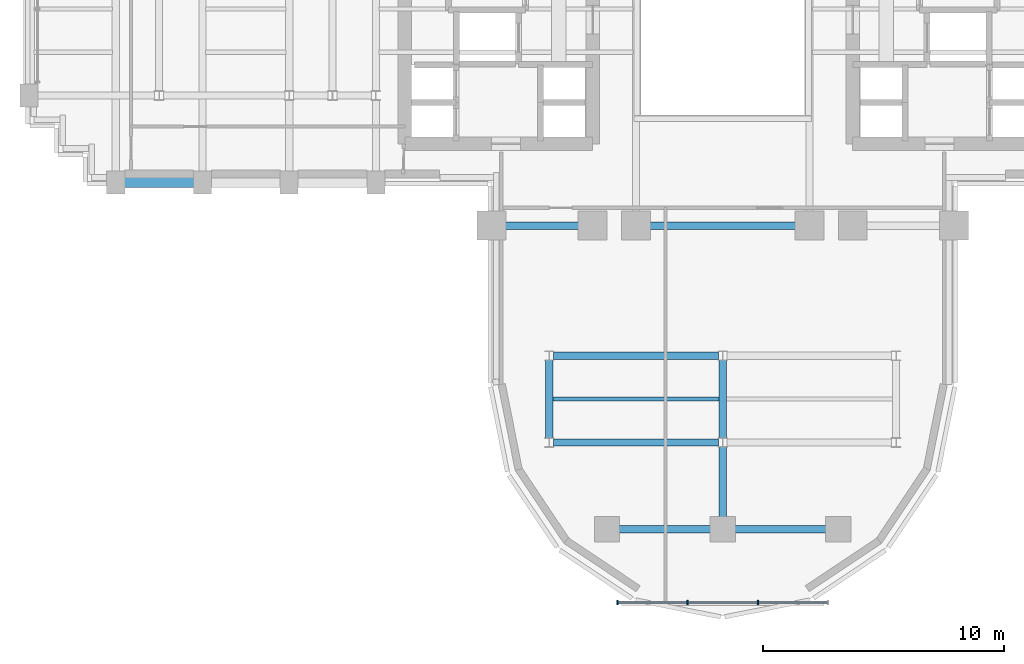
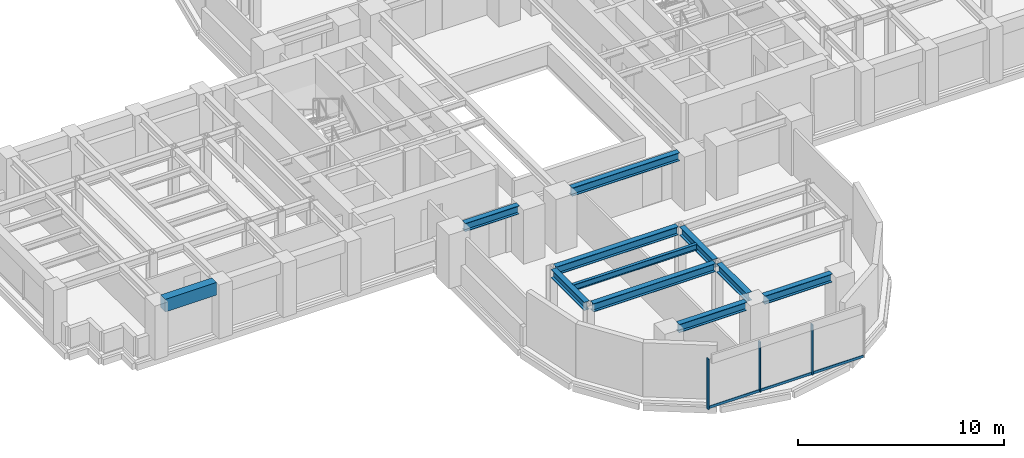
# One storey, part 3 of 16: 11 beams, 6 members, 1 element without a shape of its own.
"""IFC4 building model written with IfcOpenShell, lengths in metres."""

from ifc_helpers import new_model, si_unit, direction, frame, origin, origin_2d, place, context, subcontext, project, spatial, rectangle, i_section, extrude, source, transform, mapped, material, material_profile, profile_set, type_object, element, aggregate, save


model = new_model("IFC4")

# Units and contexts
model_context = context("Model", 3, precision=1e-05, world=origin(), true_north=direction((0.0, 1.0)))
body_context = subcontext(model_context, "Body", "Model", "MODEL_VIEW")
ifc_project = project(units=[si_unit("LENGTHUNIT", "METRE"), si_unit("AREAUNIT", "SQUARE_METRE"), si_unit("VOLUMEUNIT", "CUBIC_METRE"), si_unit("PLANEANGLEUNIT", "RADIAN"), si_unit("MASSUNIT", "GRAM", prefix="KILO")], contexts=[model_context])

# Site, building, storey
site_placement = place(None, origin())
site = spatial("IfcSite", under=ifc_project, at=site_placement, CompositionType="ELEMENT")
building_placement = place(site_placement, origin())
building = spatial("IfcBuilding", under=site, at=building_placement, Name="Keilestroom Media Tower", CompositionType="ELEMENT")
storey_placement = place(building_placement, frame((0.0, 0.0, 34.0)))
storey = spatial("IfcBuildingStorey", under=building, at=storey_placement, Name="L07", CompositionType="ELEMENT", Elevation=34.0)

# Beams
ifc_material_1 = material(Name="Precast concrete C40/50", Category="concrete")
ifc_material_profile_1 = material_profile(ifc_material_1, rectangle(XDim=0.449951171875, YDim=0.75, at=origin_2d()), Name="PC 450x750")
ifc_profile_set_1 = profile_set([ifc_material_profile_1], Name="Precast concrete C40/50")
beam_type_1 = type_object("IfcBeamType", Name="Perimeter-Spandrel-Beam-PC-450x750", PredefinedType="SPANDREL", material=ifc_profile_set_1)
shared_shape_1 = source(origin(), body_context, "Body", "SweptSolid", [
    extrude(rectangle(XDim=0.449951171875, YDim=0.75, at=origin_2d()), origin(), (0.0, 0.0, 1.0), 2.889892578125),
])
beam_1_placement = place(storey_placement, frame((-24.844970703125, -7.199951171875, 2.824951171875), z_axis=(1.0, 0.0, 0.0), x_axis=(0.0, 1.0, 0.0)))
element("IfcBeam", 1, at=beam_1_placement, inside=storey, type_object=beam_type_1, Name="L07 Beam SPB-1 BM-L07-EW-012", PredefinedType="SPANDREL", context=body_context, shape_type="MappedRepresentation", body=[
    mapped(shared_shape_1, transform((0.0, 0.0, 0.0), x_axis=(1.0, 0.0, 0.0), y_axis=(0.0, 1.0, 0.0), z_axis=(0.0, 0.0, 1.0), scale=1.0)),
])
ifc_material_2 = material(Name="Steel S355", Category="steel")
ifc_material_profile_2 = material_profile(ifc_material_2, i_section(OverallWidth=0.300048828125, OverallDepth=0.5, WebThickness=0.012451171875, FlangeThickness=0.028076171875, at=origin_2d()), Name="HEB 500")
ifc_profile_set_2 = profile_set([ifc_material_profile_2], Name="Steel S355")
beam_type_2 = type_object("IfcBeamType", Name="Primary-Structural-Girder-HEB-500", PredefinedType="BEAM", material=ifc_profile_set_2)
shared_shape_2 = source(origin(), body_context, "Body", "SweptSolid", [
    extrude(i_section(OverallWidth=0.300048828125, OverallDepth=0.5, WebThickness=0.012451171875, FlangeThickness=0.028076171875, at=origin_2d()), origin(), (0.0, 0.0, 1.0), 3.23291015625),
])
for number, where, z_axis, x_axis, name in (
    (2, (-7.199951171875, -17.81640625, 2.949951171875), (0.0, 1.0, 0.0), (-1.0, 0.0, 0.0), "L07 Beam BG-6 BM-L07-NS-063"),
    (3, (0.0, -17.81640625, 2.949951171875), (0.0, 1.0, 0.0), (-1.0, 0.0, 0.0), "L07 Beam BG-6 BM-L07-NS-068"),
):
    element("IfcBeam", number, at=place(storey_placement, frame(where, z_axis=z_axis, x_axis=x_axis)), inside=storey, type_object=beam_type_2, Name=name, PredefinedType="BEAM", context=body_context, shape_type="MappedRepresentation", body=[
        mapped(shared_shape_2, transform((0.0, 0.0, 0.0), x_axis=(1.0, 0.0, 0.0), y_axis=(0.0, 1.0, 0.0), z_axis=(0.0, 0.0, 1.0), scale=1.0)),
    ])
shared_shape_3 = source(origin(), body_context, "Body", "SweptSolid", [
    extrude(i_section(OverallWidth=0.300048828125, OverallDepth=0.5, WebThickness=0.012451171875, FlangeThickness=0.028076171875, at=origin_2d()), origin(), (0.0, 0.0, 1.0), 2.911376953125),
])
beam_2_placement = place(storey_placement, frame((0.0, -21.094970703125, 2.949951171875), z_axis=(0.0, 1.0, 0.0), x_axis=(-1.0, 0.0, 0.0)))
element("IfcBeam", 4, at=beam_2_placement, inside=storey, type_object=beam_type_2, Name="L07 Beam BG-6 BM-L07-NS-067", PredefinedType="BEAM", context=body_context, shape_type="MappedRepresentation", body=[
    mapped(shared_shape_3, transform((0.0, 0.0, 0.0), x_axis=(1.0, 0.0, 0.0), y_axis=(0.0, 1.0, 0.0), z_axis=(0.0, 0.0, 1.0), scale=1.0)),
])
ifc_material_profile_3 = material_profile(ifc_material_2, i_section(OverallWidth=0.300048828125, OverallDepth=0.489990234375, WebThickness=0.011962890625, FlangeThickness=0.02294921875, at=origin_2d()), Name="HEA 500")
ifc_profile_set_3 = profile_set([ifc_material_profile_3], Name="Steel S355")
beam_type_3 = type_object("IfcBeamType", Name="Primary-Structural-Girder-HEA-500", PredefinedType="BEAM", material=ifc_profile_set_3)
shared_shape_4 = source(origin(), body_context, "Body", "SweptSolid", [
    extrude(i_section(OverallWidth=0.300048828125, OverallDepth=0.489990234375, WebThickness=0.011962890625, FlangeThickness=0.02294921875, at=origin_2d()), origin(), (0.0, 0.0, 1.0), 3.7900390625),
])
for number, where, z_axis, x_axis, name in (
    (5, (-4.294921875, -21.60009765625, 2.955078125), (1.0, 0.0, 0.0), (0.0, 1.0, 0.0), "L07 Beam BG-10 BM-L07-EW-001"),
    (6, (0.5048828125, -21.60009765625, 2.955078125), (1.0, 0.0, 0.0), (0.0, 1.0, 0.0), "L07 Beam BG-10 BM-L07-EW-002"),
):
    element("IfcBeam", number, at=place(storey_placement, frame(where, z_axis=z_axis, x_axis=x_axis)), inside=storey, type_object=beam_type_3, Name=name, PredefinedType="BEAM", context=body_context, shape_type="MappedRepresentation", body=[
        mapped(shared_shape_4, transform((0.0, 0.0, 0.0), x_axis=(1.0, 0.0, 0.0), y_axis=(0.0, 1.0, 0.0), z_axis=(0.0, 0.0, 1.0), scale=1.0)),
    ])
shared_shape_5 = source(origin(), body_context, "Body", "SweptSolid", [
    extrude(i_section(OverallWidth=0.300048828125, OverallDepth=0.489990234375, WebThickness=0.011962890625, FlangeThickness=0.02294921875, at=origin_2d()), origin(), (0.0, 0.0, 1.0), 6.836181640625),
])
for number, where, z_axis, x_axis, name in (
    (7, (-7.01806640625, -18.0, 2.955078125), (1.0, 0.0, 0.0), (0.0, 1.0, 0.0), "L07 Beam BG-10 BM-L07-EW-003"),
    (8, (-7.01806640625, -14.39990234375, 2.955078125), (1.0, 0.0, 0.0), (0.0, 1.0, 0.0), "L07 Beam BG-10 BM-L07-EW-005"),
):
    element("IfcBeam", number, at=place(storey_placement, frame(where, z_axis=z_axis, x_axis=x_axis)), inside=storey, type_object=beam_type_3, Name=name, PredefinedType="BEAM", context=body_context, shape_type="MappedRepresentation", body=[
        mapped(shared_shape_5, transform((0.0, 0.0, 0.0), x_axis=(1.0, 0.0, 0.0), y_axis=(0.0, 1.0, 0.0), z_axis=(0.0, 0.0, 1.0), scale=1.0)),
    ])
shared_shape_6 = source(origin(), body_context, "Body", "SweptSolid", [
    extrude(i_section(OverallWidth=0.300048828125, OverallDepth=0.489990234375, WebThickness=0.011962890625, FlangeThickness=0.02294921875, at=origin_2d()), origin(), (0.0, 0.0, 1.0), 3.0400390625),
])
beam_3_placement = place(storey_placement, frame((-9.02001953125, -9.0, 2.955078125), z_axis=(1.0, 0.0, 0.0), x_axis=(0.0, 1.0, 0.0)))
element("IfcBeam", 9, at=beam_3_placement, inside=storey, type_object=beam_type_3, Name="L07 Beam BG-10 BM-L07-EW-007", PredefinedType="BEAM", context=body_context, shape_type="MappedRepresentation", body=[
    mapped(shared_shape_6, transform((0.0, 0.0, 0.0), x_axis=(1.0, 0.0, 0.0), y_axis=(0.0, 1.0, 0.0), z_axis=(0.0, 0.0, 1.0), scale=1.0)),
])
shared_shape_7 = source(origin(), body_context, "Body", "SweptSolid", [
    extrude(i_section(OverallWidth=0.300048828125, OverallDepth=0.489990234375, WebThickness=0.011962890625, FlangeThickness=0.02294921875, at=origin_2d()), origin(), (0.0, 0.0, 1.0), 6.0400390625),
])
beam_4_placement = place(storey_placement, frame((-3.02001953125, -9.0, 2.955078125), z_axis=(1.0, 0.0, 0.0), x_axis=(0.0, 1.0, 0.0)))
element("IfcBeam", 10, at=beam_4_placement, inside=storey, type_object=beam_type_3, Name="L07 Beam BG-10 BM-L07-EW-009", PredefinedType="BEAM", context=body_context, shape_type="MappedRepresentation", body=[
    mapped(shared_shape_7, transform((0.0, 0.0, 0.0), x_axis=(1.0, 0.0, 0.0), y_axis=(0.0, 1.0, 0.0), z_axis=(0.0, 0.0, 1.0), scale=1.0)),
])
ifc_material_profile_4 = material_profile(ifc_material_2, i_section(OverallWidth=0.169921875, OverallDepth=0.360107421875, WebThickness=0.008056640625, FlangeThickness=0.0126953125, at=origin_2d()), Name="IPE 360")
ifc_profile_set_4 = profile_set([ifc_material_profile_4], Name="Steel S355")
beam_type_4 = type_object("IfcBeamType", Name="Secondary-Floor-Joist-IPE-360", PredefinedType="JOIST", material=ifc_profile_set_4)
shared_shape_8 = source(origin(), body_context, "Body", "SweptSolid", [
    extrude(i_section(OverallWidth=0.169921875, OverallDepth=0.360107421875, WebThickness=0.008056640625, FlangeThickness=0.0126953125, at=origin_2d()), origin(), (0.0, 0.0, 1.0), 6.940185546875),
])
beam_5_placement = place(storey_placement, frame((-7.070068359375, -16.199951171875, 3.02001953125), z_axis=(1.0, 0.0, 0.0), x_axis=(0.0, 1.0, 0.0)))
element("IfcBeam", 11, at=beam_5_placement, inside=storey, type_object=beam_type_4, Name="L07 Beam BJ-5 JST-L07-087", PredefinedType="JOIST", context=body_context, shape_type="MappedRepresentation", body=[
    mapped(shared_shape_8, transform((0.0, 0.0, 0.0), x_axis=(1.0, 0.0, 0.0), y_axis=(0.0, 1.0, 0.0), z_axis=(0.0, 0.0, 1.0), scale=1.0)),
])

# Curtain wall, members
ifc_material_3 = material(Name="Anodised Aluminium Alloy", Category="aluminium")
curtain_wall_type = type_object("IfcCurtainWallType", Name="Unitised-Curtain-Wall-CW-6", PredefinedType="NOTDEFINED", material=ifc_material_3)
curtain_wall_placement = place(storey_placement, origin())
curtain_wall = element("IfcCurtainWall", 12, at=curtain_wall_placement, inside=storey, type_object=curtain_wall_type, Name="L07 Curtain Wall CW-6 CW-L07-LS-1", PredefinedType="NOTDEFINED")
ifc_material_profile_5 = material_profile(ifc_material_3, rectangle(XDim=0.06494140625, YDim=0.179931640625, at=origin_2d()), Name="ALU MULLION 65x180")
ifc_profile_set_5 = profile_set([ifc_material_profile_5], Name="Anodised Aluminium Alloy")
member_type_1 = type_object("IfcMemberType", Name="Curtain-Wall-Mullion-CW-6", PredefinedType="MULLION", material=ifc_profile_set_5)
shared_shape_9 = source(origin(), body_context, "Body", "SweptSolid", [
    extrude(rectangle(XDim=0.06494140625, YDim=0.179931640625, at=origin_2d()), origin(), (0.0, 0.0, 1.0), 2.97998046875),
])
member_1_placement = place(storey_placement, frame((-4.367431640625, -24.64990234375, 0.0), z_axis=(0.0, 0.0, 1.0), x_axis=(1.0, 0.0, 0.0)))
member_1 = element("IfcMember", 13, at=member_1_placement, type_object=member_type_1, Name="CW-6 Mullion 00", PredefinedType="MULLION", context=body_context, shape_type="MappedRepresentation", body=[
    mapped(shared_shape_9, transform((0.0, 0.0, 0.0), x_axis=(1.0, 0.0, 0.0), y_axis=(0.0, 1.0, 0.0), z_axis=(0.0, 0.0, 1.0), scale=1.0)),
])
member_2_placement = place(storey_placement, frame((-1.466796875, -24.64990234375, 0.0), z_axis=(0.0, 0.0, 1.0), x_axis=(1.0, 0.0, 0.0)))
member_2 = element("IfcMember", 14, at=member_2_placement, type_object=member_type_1, Name="CW-6 Mullion 01", PredefinedType="MULLION", context=body_context, shape_type="MappedRepresentation", body=[
    mapped(shared_shape_9, transform((0.0, 0.0, 0.0), x_axis=(1.0, 0.0, 0.0), y_axis=(0.0, 1.0, 0.0), z_axis=(0.0, 0.0, 1.0), scale=1.0)),
])
member_3_placement = place(storey_placement, frame((1.466796875, -24.64990234375, 0.0), z_axis=(0.0, 0.0, 1.0), x_axis=(1.0, 0.0, 0.0)))
member_3 = element("IfcMember", 15, at=member_3_placement, type_object=member_type_1, Name="CW-6 Mullion 02", PredefinedType="MULLION", context=body_context, shape_type="MappedRepresentation", body=[
    mapped(shared_shape_9, transform((0.0, 0.0, 0.0), x_axis=(1.0, 0.0, 0.0), y_axis=(0.0, 1.0, 0.0), z_axis=(0.0, 0.0, 1.0), scale=1.0)),
])
ifc_material_profile_6 = material_profile(ifc_material_3, rectangle(XDim=0.06494140625, YDim=0.14990234375, at=origin_2d()), Name="ALU TRANSOM 65x150")
ifc_profile_set_6 = profile_set([ifc_material_profile_6], Name="Anodised Aluminium Alloy")
member_type_2 = type_object("IfcMemberType", Name="Curtain-Wall-Transom-CW-6", PredefinedType="USERDEFINED", material=ifc_profile_set_6)
shared_shape_10 = source(origin(), body_context, "Body", "SweptSolid", [
    extrude(rectangle(XDim=0.06494140625, YDim=0.14990234375, at=origin_2d()), origin(), (0.0, 0.0, 1.0), 2.839599609375),
])
member_4_placement = place(storey_placement, frame((-4.3369140625, -24.64990234375, 0.074951171875), z_axis=(1.0, 0.0, 0.0), x_axis=(0.0, 1.0, 0.0)))
member_4 = element("IfcMember", 16, at=member_4_placement, type_object=member_type_2, Name="CW-6 Transom 00.1", ObjectType="TRANSOM", PredefinedType="USERDEFINED", context=body_context, shape_type="MappedRepresentation", body=[
    mapped(shared_shape_10, transform((0.0, 0.0, 0.0), x_axis=(1.0, 0.0, 0.0), y_axis=(0.0, 1.0, 0.0), z_axis=(0.0, 0.0, 1.0), scale=1.0)),
])
member_5_placement = place(storey_placement, frame((1.497314453125, -24.64990234375, 0.074951171875), z_axis=(1.0, 0.0, 0.0), x_axis=(0.0, 1.0, 0.0)))
member_5 = element("IfcMember", 17, at=member_5_placement, type_object=member_type_2, Name="CW-6 Transom 02.1", ObjectType="TRANSOM", PredefinedType="USERDEFINED", context=body_context, shape_type="MappedRepresentation", body=[
    mapped(shared_shape_10, transform((0.0, 0.0, 0.0), x_axis=(1.0, 0.0, 0.0), y_axis=(0.0, 1.0, 0.0), z_axis=(0.0, 0.0, 1.0), scale=1.0)),
])
shared_shape_11 = source(origin(), body_context, "Body", "SweptSolid", [
    extrude(rectangle(XDim=0.06494140625, YDim=0.14990234375, at=origin_2d()), origin(), (0.0, 0.0, 1.0), 2.87255859375),
])
member_6_placement = place(storey_placement, frame((-1.436279296875, -24.64990234375, 0.074951171875), z_axis=(1.0, 0.0, 0.0), x_axis=(0.0, 1.0, 0.0)))
member_6 = element("IfcMember", 18, at=member_6_placement, type_object=member_type_2, Name="CW-6 Transom 01.1", ObjectType="TRANSOM", PredefinedType="USERDEFINED", context=body_context, shape_type="MappedRepresentation", body=[
    mapped(shared_shape_11, transform((0.0, 0.0, 0.0), x_axis=(1.0, 0.0, 0.0), y_axis=(0.0, 1.0, 0.0), z_axis=(0.0, 0.0, 1.0), scale=1.0)),
])
aggregate(curtain_wall, [member_1, member_2, member_3, member_4, member_6, member_5])

save(model, "model.ifc")
